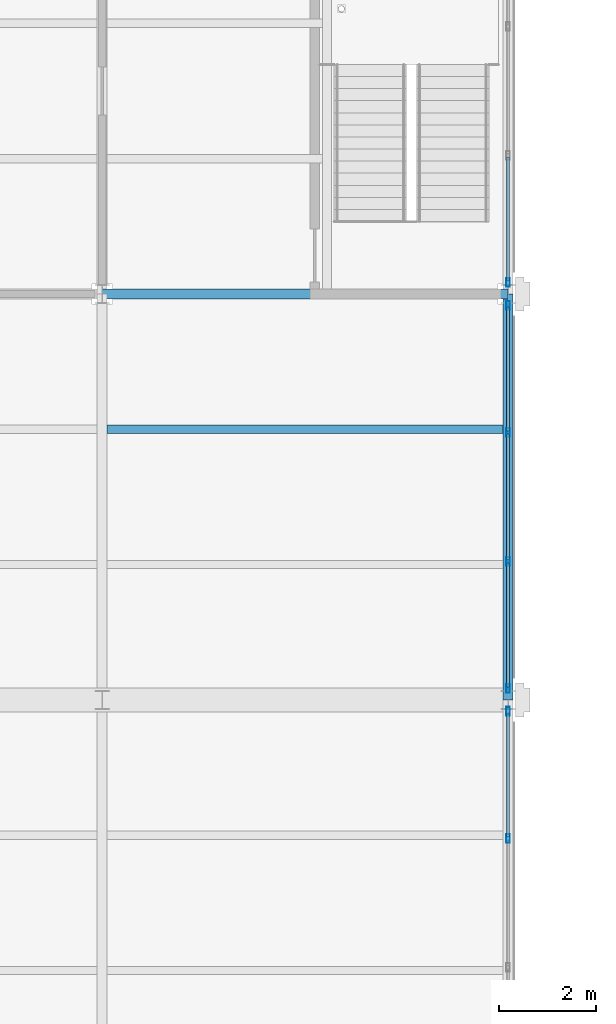
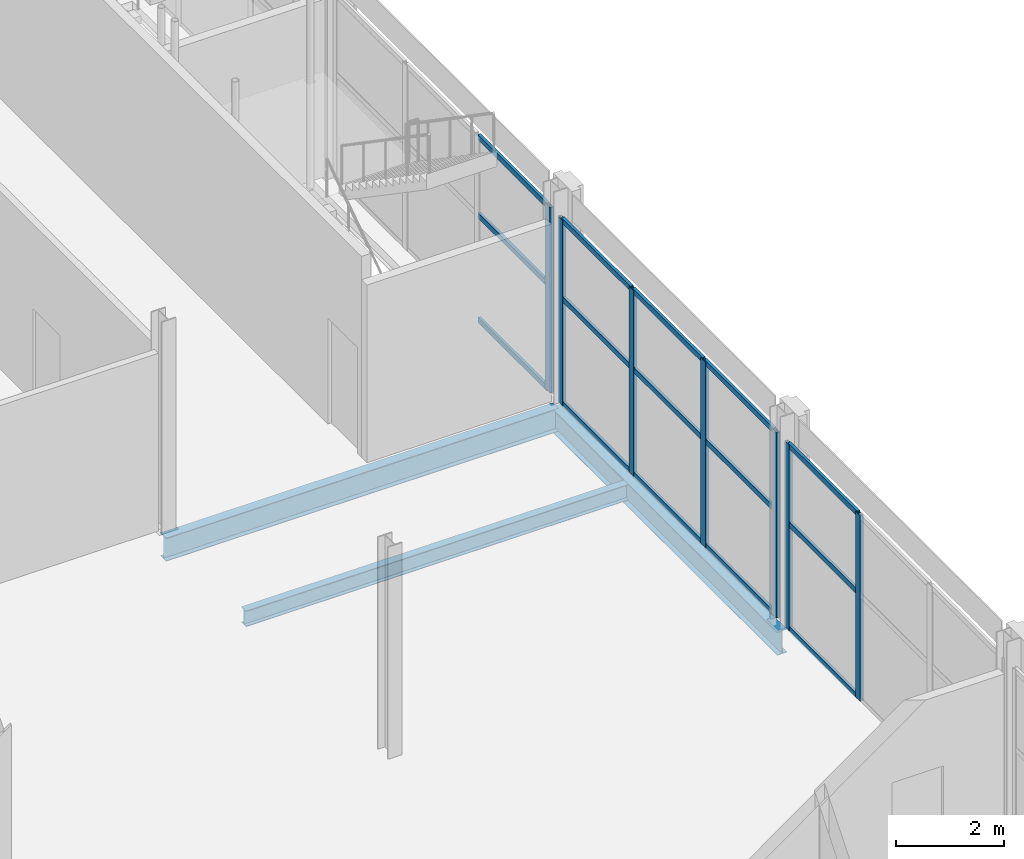
# One storey, part 128 of 167: 22 members, 3 beams, 3 elements without a shape of their own.
"""IFC4 building model written with IfcOpenShell, lengths in metres."""

from ifc_helpers import new_model, si_unit, direction, frame, origin, origin_2d, place, context, subcontext, project, spatial, hollow_rectangle, i_section, extrude, material, material_profile, profile_set, type_object, element, aggregate, save


model = new_model("IFC4")

# Units and contexts
model_context = context("Model", 3, precision=1e-05, world=origin(), true_north=direction((0.0, 1.0)))
body_context = subcontext(model_context, "Body", "Model", "MODEL_VIEW")
ifc_project = project(units=[si_unit("LENGTHUNIT", "METRE"), si_unit("AREAUNIT", "SQUARE_METRE"), si_unit("VOLUMEUNIT", "CUBIC_METRE"), si_unit("PLANEANGLEUNIT", "RADIAN"), si_unit("MASSUNIT", "GRAM", prefix="KILO")], contexts=[model_context])

# Site, building, storey
site_placement = place(None, origin())
site = spatial("IfcSite", under=ifc_project, at=site_placement, CompositionType="ELEMENT")
building_placement = place(site_placement, origin())
building = spatial("IfcBuilding", under=site, at=building_placement, Name="Catenary Quay Ferry Terminal", CompositionType="ELEMENT")
storey_placement = place(building_placement, frame((0.0, 0.0, 6.0)))
storey = spatial("IfcBuildingStorey", under=building, at=storey_placement, Name="L01", CompositionType="ELEMENT", Elevation=6.0)

# Beams
ifc_material_1 = material(Name="Steel S355", Category="steel")
ifc_material_profile_1 = material_profile(ifc_material_1, i_section(OverallWidth=0.208740234375, OverallDepth=0.5283203125, WebThickness=0.009521484375, FlangeThickness=0.01318359375, at=origin_2d()), Name="UB 533x210x82")
ifc_profile_set_1 = profile_set([ifc_material_profile_1], Name="Steel S355")
beam_type_1 = type_object("IfcBeamType", Name="B5 UB 533x210x82", PredefinedType="BEAM", material=ifc_profile_set_1)
for number, where, z_axis, x_axis, name in (
    (1, (58.800048828125, 193.199951171875, -0.464111328125), (1.0, 0.0, 0.0), (0.0, 1.0, 0.0), "Beam B5-017"),
    (2, (67.199951171875, 184.800048828125, -0.464111328125), (0.0, 1.0, 0.0), (-1.0, 0.0, 0.0), "Beam B5-053"),
):
    element("IfcBeam", number, at=place(storey_placement, frame(where, z_axis=z_axis, x_axis=x_axis)), inside=storey, type_object=beam_type_1, Name=name, PredefinedType="BEAM", context=body_context, shape_type="SweptSolid", body=[
        extrude(i_section(OverallWidth=0.208740234375, OverallDepth=0.5283203125, WebThickness=0.009521484375, FlangeThickness=0.01318359375, at=origin_2d()), origin(), (0.0, 0.0, 1.0), 8.39990234375),
    ])
ifc_material_2 = material(Name="Steel S355", Category="steel")
ifc_material_profile_2 = material_profile(ifc_material_2, i_section(OverallWidth=0.169921875, OverallDepth=0.360107421875, WebThickness=0.008056640625, FlangeThickness=0.0126953125, at=origin_2d()), Name="IPE 360")
ifc_profile_set_2 = profile_set([ifc_material_profile_2], Name="Steel S355")
beam_type_2 = type_object("IfcBeamType", Name="B7 IPE 360", PredefinedType="BEAM", material=ifc_profile_set_2)
beam_placement = place(storey_placement, frame((58.904052734375, 190.39990234375, -0.3798828125), z_axis=(1.0, 0.0, 0.0), x_axis=(0.0, 1.0, 0.0)))
element("IfcBeam", 3, at=beam_placement, inside=storey, type_object=beam_type_2, Name="Beam B7-058", PredefinedType="BEAM", context=body_context, shape_type="SweptSolid", body=[
    extrude(i_section(OverallWidth=0.169921875, OverallDepth=0.360107421875, WebThickness=0.008056640625, FlangeThickness=0.0126953125, at=origin_2d()), origin(), (0.0, 0.0, 1.0), 8.19189453125),
])

# Curtain wall, members
ifc_material_3 = material(Name="Aluminium and glass", Category="aluminium")
curtain_wall_type = type_object("IfcCurtainWallType", Name="CWW2", PredefinedType="NOTDEFINED", material=ifc_material_3)
curtain_wall_1_placement = place(storey_placement, origin())
curtain_wall_1 = element("IfcCurtainWall", 4, at=curtain_wall_1_placement, inside=storey, type_object=curtain_wall_type, Name="Wing curtain wall CW118", PredefinedType="NOTDEFINED")
ifc_material_4 = material(Name="Aluminium", Category="aluminium")
ifc_material_profile_3 = material_profile(ifc_material_4, hollow_rectangle(XDim=0.070068359375, YDim=0.179931640625, WallThickness=0.006103515625, at=origin_2d()), Name="MU3")
ifc_profile_set_3 = profile_set([ifc_material_profile_3], Name="Aluminium")
member_type_1 = type_object("IfcMemberType", Name="MU3", PredefinedType="MULLION", material=ifc_profile_set_3)
member_1_placement = place(storey_placement, frame((67.199951171875, 181.933349609375, 0.0), z_axis=(0.0, 0.0, 1.0), x_axis=(-1.0, 0.0, 0.0)))
member_1 = element("IfcMember", 5, at=member_1_placement, type_object=member_type_1, Name="CW118 mullion 3", PredefinedType="MULLION", context=body_context, shape_type="SweptSolid", body=[
    extrude(hollow_rectangle(XDim=0.070068359375, YDim=0.179931640625, WallThickness=0.006103515625, at=origin_2d()), origin(), (0.0, 0.0, 1.0), 4.199951171875),
])
member_2_placement = place(storey_placement, frame((67.199951171875, 184.56494140625, 0.0), z_axis=(0.0, 0.0, 1.0), x_axis=(-1.0, 0.0, 0.0)))
member_2 = element("IfcMember", 6, at=member_2_placement, type_object=member_type_1, Name="CW118 mullion 4", PredefinedType="MULLION", context=body_context, shape_type="SweptSolid", body=[
    extrude(hollow_rectangle(XDim=0.070068359375, YDim=0.179931640625, WallThickness=0.006103515625, at=origin_2d()), origin(), (0.0, 0.0, 1.0), 4.199951171875),
])

curtain_wall_2_placement = place(storey_placement, origin())
curtain_wall_2 = element("IfcCurtainWall", 7, at=curtain_wall_2_placement, inside=storey, type_object=curtain_wall_type, Name="Wing curtain wall CW119", PredefinedType="NOTDEFINED")
member_3_placement = place(storey_placement, frame((67.199951171875, 185.034912109375, 0.0), z_axis=(0.0, 0.0, 1.0), x_axis=(-1.0, 0.0, 0.0)))
member_3 = element("IfcMember", 8, at=member_3_placement, type_object=member_type_1, Name="CW119 mullion 1", PredefinedType="MULLION", context=body_context, shape_type="SweptSolid", body=[
    extrude(hollow_rectangle(XDim=0.070068359375, YDim=0.179931640625, WallThickness=0.006103515625, at=origin_2d()), origin(), (0.0, 0.0, 1.0), 4.199951171875),
])
member_4_placement = place(storey_placement, frame((67.199951171875, 187.666748046875, 0.0), z_axis=(0.0, 0.0, 1.0), x_axis=(-1.0, 0.0, 0.0)))
member_4 = element("IfcMember", 9, at=member_4_placement, type_object=member_type_1, Name="CW119 mullion 2", PredefinedType="MULLION", context=body_context, shape_type="SweptSolid", body=[
    extrude(hollow_rectangle(XDim=0.070068359375, YDim=0.179931640625, WallThickness=0.006103515625, at=origin_2d()), origin(), (0.0, 0.0, 1.0), 4.199951171875),
])
member_5_placement = place(storey_placement, frame((67.199951171875, 190.333251953125, 0.0), z_axis=(0.0, 0.0, 1.0), x_axis=(-1.0, 0.0, 0.0)))
member_5 = element("IfcMember", 10, at=member_5_placement, type_object=member_type_1, Name="CW119 mullion 3", PredefinedType="MULLION", context=body_context, shape_type="SweptSolid", body=[
    extrude(hollow_rectangle(XDim=0.070068359375, YDim=0.179931640625, WallThickness=0.006103515625, at=origin_2d()), origin(), (0.0, 0.0, 1.0), 4.199951171875),
])
member_6_placement = place(storey_placement, frame((67.199951171875, 192.965087890625, 0.0), z_axis=(0.0, 0.0, 1.0), x_axis=(-1.0, 0.0, 0.0)))
member_6 = element("IfcMember", 11, at=member_6_placement, type_object=member_type_1, Name="CW119 mullion 4", PredefinedType="MULLION", context=body_context, shape_type="SweptSolid", body=[
    extrude(hollow_rectangle(XDim=0.070068359375, YDim=0.179931640625, WallThickness=0.006103515625, at=origin_2d()), origin(), (0.0, 0.0, 1.0), 4.199951171875),
])

# Curtain wall, member
curtain_wall_3_placement = place(storey_placement, origin())
curtain_wall_3 = element("IfcCurtainWall", 12, at=curtain_wall_3_placement, inside=storey, type_object=curtain_wall_type, Name="Wing curtain wall CW120", PredefinedType="NOTDEFINED")
member_7_placement = place(storey_placement, frame((67.199951171875, 193.43505859375, 0.0), z_axis=(0.0, 0.0, 1.0), x_axis=(-1.0, 0.0, 0.0)))
member_7 = element("IfcMember", 13, at=member_7_placement, type_object=member_type_1, Name="CW120 mullion 1", PredefinedType="MULLION", context=body_context, shape_type="SweptSolid", body=[
    extrude(hollow_rectangle(XDim=0.070068359375, YDim=0.179931640625, WallThickness=0.006103515625, at=origin_2d()), origin(), (0.0, 0.0, 1.0), 4.199951171875),
])

# Member
ifc_material_5 = material(Name="Aluminium", Category="aluminium")
ifc_material_profile_4 = material_profile(ifc_material_5, hollow_rectangle(XDim=0.06005859375, YDim=0.1201171875, WallThickness=0.0048828125, at=origin_2d()), Name="TR3")
ifc_profile_set_4 = profile_set([ifc_material_profile_4], Name="Aluminium")
member_type_2 = type_object("IfcMemberType", Name="TR3", PredefinedType="USERDEFINED", material=ifc_profile_set_4)
member_8_placement = place(storey_placement, frame((67.199951171875, 181.96826171875, 0.030029296875), z_axis=(0.0, 1.0, 0.0), x_axis=(-1.0, 0.0, 0.0)))
member_8 = element("IfcMember", 14, at=member_8_placement, type_object=member_type_2, Name="CW118 transom 3.1", ObjectType="TRANSOM", PredefinedType="USERDEFINED", context=body_context, shape_type="SweptSolid", body=[
    extrude(hollow_rectangle(XDim=0.06005859375, YDim=0.1201171875, WallThickness=0.0048828125, at=origin_2d()), origin(), (0.0, 0.0, 1.0), 2.561767578125),
])

member_9_placement = place(storey_placement, frame((67.199951171875, 181.96826171875, 2.39990234375), z_axis=(0.0, 1.0, 0.0), x_axis=(-1.0, 0.0, 0.0)))
member_9 = element("IfcMember", 15, at=member_9_placement, type_object=member_type_2, Name="CW118 transom 3.2", ObjectType="TRANSOM", PredefinedType="USERDEFINED", context=body_context, shape_type="SweptSolid", body=[
    extrude(hollow_rectangle(XDim=0.06005859375, YDim=0.1201171875, WallThickness=0.0048828125, at=origin_2d()), origin(), (0.0, 0.0, 1.0), 2.561767578125),
])

member_10_placement = place(storey_placement, frame((67.199951171875, 181.96826171875, 4.169921875), z_axis=(0.0, 1.0, 0.0), x_axis=(-1.0, 0.0, 0.0)))
member_10 = element("IfcMember", 16, at=member_10_placement, type_object=member_type_2, Name="CW118 transom 3.3", ObjectType="TRANSOM", PredefinedType="USERDEFINED", context=body_context, shape_type="SweptSolid", body=[
    extrude(hollow_rectangle(XDim=0.06005859375, YDim=0.1201171875, WallThickness=0.0048828125, at=origin_2d()), origin(), (0.0, 0.0, 1.0), 2.561767578125),
])

aggregate(curtain_wall_1, [member_1, member_2, member_8, member_9, member_10])

member_11_placement = place(storey_placement, frame((67.199951171875, 185.070068359375, 0.030029296875), z_axis=(0.0, 1.0, 0.0), x_axis=(-1.0, 0.0, 0.0)))
member_11 = element("IfcMember", 17, at=member_11_placement, type_object=member_type_2, Name="CW119 transom 1.1", ObjectType="TRANSOM", PredefinedType="USERDEFINED", context=body_context, shape_type="SweptSolid", body=[
    extrude(hollow_rectangle(XDim=0.06005859375, YDim=0.1201171875, WallThickness=0.0048828125, at=origin_2d()), origin(), (0.0, 0.0, 1.0), 2.5615234375),
])

member_12_placement = place(storey_placement, frame((67.199951171875, 185.070068359375, 2.39990234375), z_axis=(0.0, 1.0, 0.0), x_axis=(-1.0, 0.0, 0.0)))
member_12 = element("IfcMember", 18, at=member_12_placement, type_object=member_type_2, Name="CW119 transom 1.2", ObjectType="TRANSOM", PredefinedType="USERDEFINED", context=body_context, shape_type="SweptSolid", body=[
    extrude(hollow_rectangle(XDim=0.06005859375, YDim=0.1201171875, WallThickness=0.0048828125, at=origin_2d()), origin(), (0.0, 0.0, 1.0), 2.5615234375),
])

member_13_placement = place(storey_placement, frame((67.199951171875, 185.070068359375, 4.169921875), z_axis=(0.0, 1.0, 0.0), x_axis=(-1.0, 0.0, 0.0)))
member_13 = element("IfcMember", 19, at=member_13_placement, type_object=member_type_2, Name="CW119 transom 1.3", ObjectType="TRANSOM", PredefinedType="USERDEFINED", context=body_context, shape_type="SweptSolid", body=[
    extrude(hollow_rectangle(XDim=0.06005859375, YDim=0.1201171875, WallThickness=0.0048828125, at=origin_2d()), origin(), (0.0, 0.0, 1.0), 2.5615234375),
])

member_14_placement = place(storey_placement, frame((67.199951171875, 187.70166015625, 0.030029296875), z_axis=(0.0, 1.0, 0.0), x_axis=(-1.0, 0.0, 0.0)))
member_14 = element("IfcMember", 20, at=member_14_placement, type_object=member_type_2, Name="CW119 transom 2.1", ObjectType="TRANSOM", PredefinedType="USERDEFINED", context=body_context, shape_type="SweptSolid", body=[
    extrude(hollow_rectangle(XDim=0.06005859375, YDim=0.1201171875, WallThickness=0.0048828125, at=origin_2d()), origin(), (0.0, 0.0, 1.0), 2.5966796875),
])

member_15_placement = place(storey_placement, frame((67.199951171875, 187.70166015625, 2.39990234375), z_axis=(0.0, 1.0, 0.0), x_axis=(-1.0, 0.0, 0.0)))
member_15 = element("IfcMember", 21, at=member_15_placement, type_object=member_type_2, Name="CW119 transom 2.2", ObjectType="TRANSOM", PredefinedType="USERDEFINED", context=body_context, shape_type="SweptSolid", body=[
    extrude(hollow_rectangle(XDim=0.06005859375, YDim=0.1201171875, WallThickness=0.0048828125, at=origin_2d()), origin(), (0.0, 0.0, 1.0), 2.5966796875),
])

member_16_placement = place(storey_placement, frame((67.199951171875, 187.70166015625, 4.169921875), z_axis=(0.0, 1.0, 0.0), x_axis=(-1.0, 0.0, 0.0)))
member_16 = element("IfcMember", 22, at=member_16_placement, type_object=member_type_2, Name="CW119 transom 2.3", ObjectType="TRANSOM", PredefinedType="USERDEFINED", context=body_context, shape_type="SweptSolid", body=[
    extrude(hollow_rectangle(XDim=0.06005859375, YDim=0.1201171875, WallThickness=0.0048828125, at=origin_2d()), origin(), (0.0, 0.0, 1.0), 2.5966796875),
])

member_17_placement = place(storey_placement, frame((67.199951171875, 190.368408203125, 0.030029296875), z_axis=(0.0, 1.0, 0.0), x_axis=(-1.0, 0.0, 0.0)))
member_17 = element("IfcMember", 23, at=member_17_placement, type_object=member_type_2, Name="CW119 transom 3.1", ObjectType="TRANSOM", PredefinedType="USERDEFINED", context=body_context, shape_type="SweptSolid", body=[
    extrude(hollow_rectangle(XDim=0.06005859375, YDim=0.1201171875, WallThickness=0.0048828125, at=origin_2d()), origin(), (0.0, 0.0, 1.0), 2.5615234375),
])

member_18_placement = place(storey_placement, frame((67.199951171875, 190.368408203125, 2.39990234375), z_axis=(0.0, 1.0, 0.0), x_axis=(-1.0, 0.0, 0.0)))
member_18 = element("IfcMember", 24, at=member_18_placement, type_object=member_type_2, Name="CW119 transom 3.2", ObjectType="TRANSOM", PredefinedType="USERDEFINED", context=body_context, shape_type="SweptSolid", body=[
    extrude(hollow_rectangle(XDim=0.06005859375, YDim=0.1201171875, WallThickness=0.0048828125, at=origin_2d()), origin(), (0.0, 0.0, 1.0), 2.5615234375),
])

member_19_placement = place(storey_placement, frame((67.199951171875, 190.368408203125, 4.169921875), z_axis=(0.0, 1.0, 0.0), x_axis=(-1.0, 0.0, 0.0)))
member_19 = element("IfcMember", 25, at=member_19_placement, type_object=member_type_2, Name="CW119 transom 3.3", ObjectType="TRANSOM", PredefinedType="USERDEFINED", context=body_context, shape_type="SweptSolid", body=[
    extrude(hollow_rectangle(XDim=0.06005859375, YDim=0.1201171875, WallThickness=0.0048828125, at=origin_2d()), origin(), (0.0, 0.0, 1.0), 2.5615234375),
])

aggregate(curtain_wall_2, [member_3, member_4, member_5, member_6, member_11, member_12, member_13, member_14, member_15, member_16, member_17, member_18, member_19])

member_20_placement = place(storey_placement, frame((67.199951171875, 193.469970703125, 0.030029296875), z_axis=(0.0, 1.0, 0.0), x_axis=(-1.0, 0.0, 0.0)))
member_20 = element("IfcMember", 26, at=member_20_placement, type_object=member_type_2, Name="CW120 transom 1.1", ObjectType="TRANSOM", PredefinedType="USERDEFINED", context=body_context, shape_type="SweptSolid", body=[
    extrude(hollow_rectangle(XDim=0.06005859375, YDim=0.1201171875, WallThickness=0.0048828125, at=origin_2d()), origin(), (0.0, 0.0, 1.0), 2.561767578125),
])

member_21_placement = place(storey_placement, frame((67.199951171875, 193.469970703125, 2.39990234375), z_axis=(0.0, 1.0, 0.0), x_axis=(-1.0, 0.0, 0.0)))
member_21 = element("IfcMember", 27, at=member_21_placement, type_object=member_type_2, Name="CW120 transom 1.2", ObjectType="TRANSOM", PredefinedType="USERDEFINED", context=body_context, shape_type="SweptSolid", body=[
    extrude(hollow_rectangle(XDim=0.06005859375, YDim=0.1201171875, WallThickness=0.0048828125, at=origin_2d()), origin(), (0.0, 0.0, 1.0), 2.561767578125),
])

member_22_placement = place(storey_placement, frame((67.199951171875, 193.469970703125, 4.169921875), z_axis=(0.0, 1.0, 0.0), x_axis=(-1.0, 0.0, 0.0)))
member_22 = element("IfcMember", 28, at=member_22_placement, type_object=member_type_2, Name="CW120 transom 1.3", ObjectType="TRANSOM", PredefinedType="USERDEFINED", context=body_context, shape_type="SweptSolid", body=[
    extrude(hollow_rectangle(XDim=0.06005859375, YDim=0.1201171875, WallThickness=0.0048828125, at=origin_2d()), origin(), (0.0, 0.0, 1.0), 2.561767578125),
])

aggregate(curtain_wall_3, [member_7, member_20, member_21, member_22])

save(model, "model.ifc")
